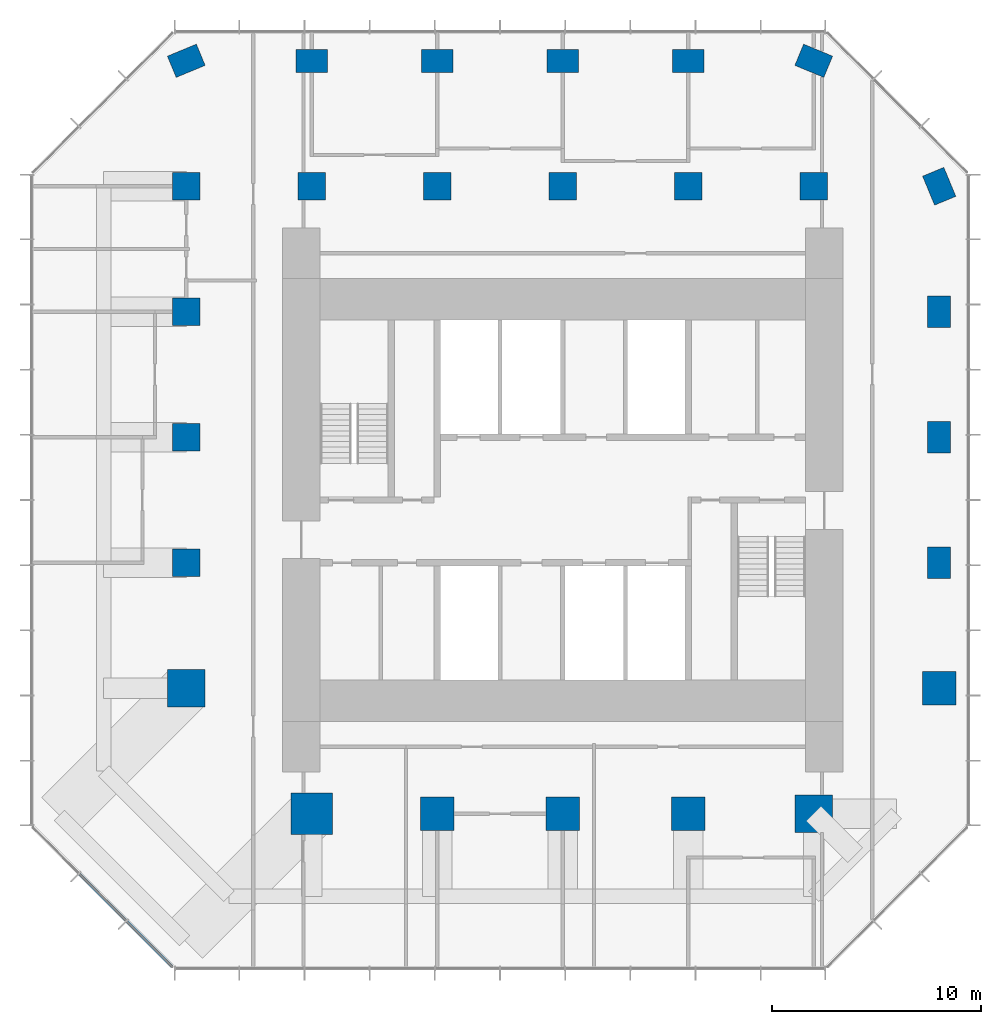
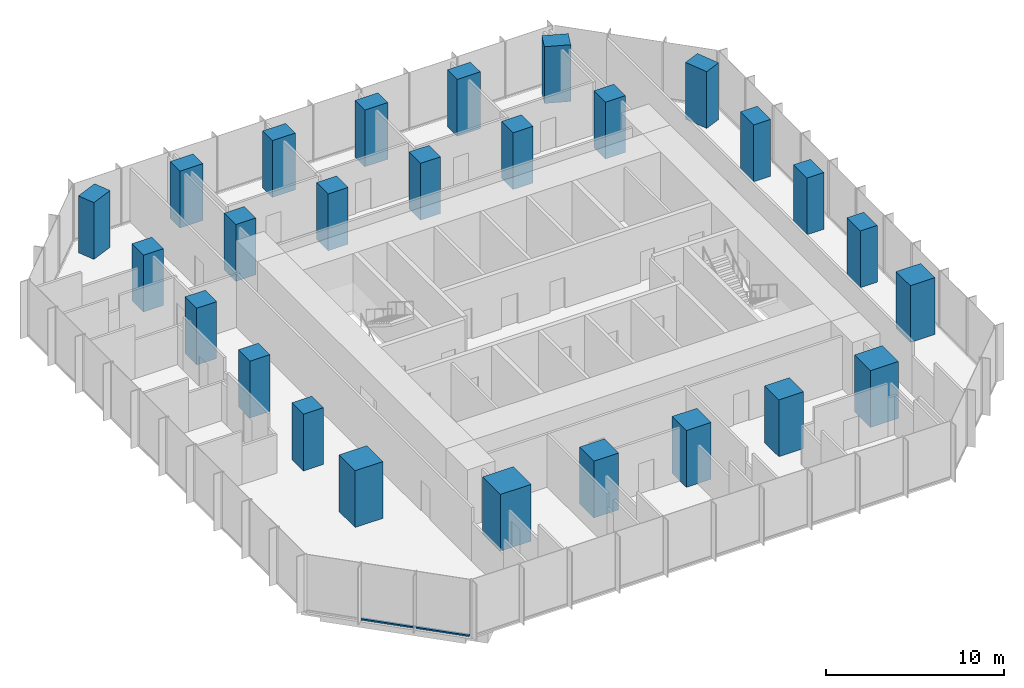
# One storey, part 1 of 11: 26 columns, 2 members, 1 element without a shape of its own.
"""IFC4 building model written with IfcOpenShell, lengths in metres."""

from ifc_helpers import new_model, si_unit, direction, frame, origin, origin_2d, place, context, subcontext, project, spatial, rectangle, extrude, material, layer, layer_set, material_profile, profile_set, type_object, element, aggregate, save


model = new_model("IFC4")

# Units and contexts
model_context = context("Model", 3, precision=1e-05, world=origin(), true_north=direction((0.0, 1.0)))
body_context = subcontext(model_context, "Body", "Model", "MODEL_VIEW")
ifc_project = project(units=[si_unit("LENGTHUNIT", "METRE"), si_unit("AREAUNIT", "SQUARE_METRE"), si_unit("VOLUMEUNIT", "CUBIC_METRE"), si_unit("PLANEANGLEUNIT", "RADIAN"), si_unit("MASSUNIT", "GRAM", prefix="KILO")], contexts=[model_context])

# Site, building, storey
site_placement = place(None, origin())
site = spatial("IfcSite", under=ifc_project, at=site_placement, CompositionType="ELEMENT")
building_placement = place(site_placement, origin())
building = spatial("IfcBuilding", under=site, at=building_placement, Name="Highveld Stack Headquarters", CompositionType="ELEMENT")
storey_placement = place(building_placement, frame((0.0, 0.0, 216.199951171875)))
storey = spatial("IfcBuildingStorey", under=building, at=storey_placement, Name="L53", CompositionType="ELEMENT", Elevation=216.199951171875)

# Columns
ifc_material_1 = material(Name="Concrete C60/75", Category="concrete")
ifc_material_profile_1 = material_profile(ifc_material_1, rectangle(XDim=1.300048828125, YDim=1.300048828125, at=origin_2d()), Name="RC 1300x1300")
ifc_profile_set_1 = profile_set([ifc_material_profile_1], Name="Concrete C60/75")
column_type_1 = type_object("IfcColumnType", Name="COLUMN RC 1300x1300 C60/75", PredefinedType="COLUMN", material=ifc_profile_set_1)
for number, where, z_axis, x_axis, name in (
    (1, (-12.0, 0.0, 0.0), (0.0, 0.0, 1.0), (1.0, 0.0, 0.0), "Column 4/E L53"),
    (2, (-12.0, 6.0, 0.0), (0.0, 0.0, 1.0), (1.0, 0.0, 0.0), "Column 4/F L53"),
    (3, (-12.0, 12.0, 0.0), (0.0, 0.0, 1.0), (1.0, 0.0, 0.0), "Column 4/G L53"),
    (4, (-12.0, 18.0, 0.0), (0.0, 0.0, 1.0), (1.0, 0.0, 0.0), "Column 4/H L53"),
    (5, (-6.0, 18.0, 0.0), (0.0, 0.0, 1.0), (1.0, 0.0, 0.0), "Column 5/H L53"),
    (6, (0.0, 18.0, 0.0), (0.0, 0.0, 1.0), (1.0, 0.0, 0.0), "Column 6/H L53"),
    (7, (6.0, 18.0, 0.0), (0.0, 0.0, 1.0), (1.0, 0.0, 0.0), "Column 7/H L53"),
    (8, (12.0, 18.0, 0.0), (0.0, 0.0, 1.0), (1.0, 0.0, 0.0), "Column 8/H L53"),
    (9, (18.0, 18.0, 0.0), (0.0, 0.0, 1.0), (1.0, 0.0, 0.0), "Column 9/H L53"),
):
    element("IfcColumn", number, at=place(storey_placement, frame(where, z_axis=z_axis, x_axis=x_axis)), inside=storey, type_object=column_type_1, Name=name, PredefinedType="COLUMN", context=body_context, shape_type="SweptSolid", body=[
        extrude(rectangle(XDim=1.300048828125, YDim=1.300048828125, at=origin_2d()), origin(), (0.0, 0.0, 1.0), 3.900146484375),
    ])
ifc_material_2 = material(Name="Concrete C60/75", Category="concrete")
ifc_material_profile_2 = material_profile(ifc_material_2, rectangle(XDim=1.5, YDim=1.10009765625, at=origin_2d()), Name="RC 1500x1100")
ifc_profile_set_2 = profile_set([ifc_material_profile_2], Name="Concrete C60/75")
column_type_2 = type_object("IfcColumnType", Name="COLUMN RC 1500x1100 C60/75", PredefinedType="COLUMN", material=ifc_profile_set_2)
for number, where, z_axis, x_axis, name in (
    (10, (-12.0, 24.0, 0.0), (0.0, 0.0, 1.0), (0.923879532511, 0.382683432365, 0.0), "Column 4/J L53"),
    (11, (-6.0, 24.0, 0.0), (0.0, 0.0, 1.0), (1.0, 0.0, 0.0), "Column 5/J L53"),
    (12, (0.0, 24.0, 0.0), (0.0, 0.0, 1.0), (1.0, 0.0, 0.0), "Column 6/J L53"),
    (13, (6.0, 24.0, 0.0), (0.0, 0.0, 1.0), (1.0, 0.0, 0.0), "Column 7/J L53"),
    (14, (12.0, 24.0, 0.0), (0.0, 0.0, 1.0), (1.0, 0.0, 0.0), "Column 8/J L53"),
    (15, (18.0, 24.0, 0.0), (0.0, 0.0, 1.0), (0.923879532511, -0.382683432365, 0.0), "Column 9/J L53"),
    (16, (24.0, 0.0, 0.0), (0.0, 0.0, 1.0), (0.0, 1.0, 0.0), "Column 10/E L53"),
    (17, (24.0, 6.0, 0.0), (0.0, 0.0, 1.0), (0.0, 1.0, 0.0), "Column 10/F L53"),
    (18, (24.0, 12.0, 0.0), (0.0, 0.0, 1.0), (0.0, 1.0, 0.0), "Column 10/G L53"),
    (19, (24.0, 18.0, 0.0), (0.0, 0.0, 1.0), (0.382683432365, -0.923879532511, 0.0), "Column 10/H L53"),
):
    element("IfcColumn", number, at=place(storey_placement, frame(where, z_axis=z_axis, x_axis=x_axis)), inside=storey, type_object=column_type_2, Name=name, PredefinedType="COLUMN", context=body_context, shape_type="SweptSolid", body=[
        extrude(rectangle(XDim=1.5, YDim=1.10009765625, at=origin_2d()), origin(), (0.0, 0.0, 1.0), 3.900146484375),
    ])
ifc_material_3 = material(Name="Concrete C60/75", Category="concrete")
ifc_material_profile_3 = material_profile(ifc_material_3, rectangle(XDim=1.60009765625, YDim=1.60009765625, at=origin_2d()), Name="RC 1600x1600")
ifc_profile_set_3 = profile_set([ifc_material_profile_3], Name="Concrete C60/75")
column_type_3 = type_object("IfcColumnType", Name="COLUMN RC 1600x1600 C60/75", PredefinedType="COLUMN", material=ifc_profile_set_3)
for number, where, z_axis, x_axis, name in (
    (20, (0.0, -12.0, 0.0), (0.0, 0.0, 1.0), (1.0, 0.0, 0.0), "Column 6/C L53"),
    (21, (6.0, -12.0, 0.0), (0.0, 0.0, 1.0), (1.0, 0.0, 0.0), "Column 7/C L53"),
    (22, (12.0, -12.0, 0.0), (0.0, 0.0, 1.0), (1.0, 0.0, 0.0), "Column 8/C L53"),
    (23, (24.0, -6.0, 0.0), (0.0, 0.0, 1.0), (1.0, 0.0, 0.0), "Column 10/D L53"),
):
    element("IfcColumn", number, at=place(storey_placement, frame(where, z_axis=z_axis, x_axis=x_axis)), inside=storey, type_object=column_type_3, Name=name, PredefinedType="COLUMN", context=body_context, shape_type="SweptSolid", body=[
        extrude(rectangle(XDim=1.60009765625, YDim=1.60009765625, at=origin_2d()), origin(), (0.0, 0.0, 1.0), 3.900146484375),
    ])
ifc_material_4 = material(Name="Concrete C60/75", Category="concrete")
ifc_material_profile_4 = material_profile(ifc_material_4, rectangle(XDim=1.800048828125, YDim=1.800048828125, at=origin_2d()), Name="RC 1800x1800")
ifc_profile_set_4 = profile_set([ifc_material_profile_4], Name="Concrete C60/75")
column_type_4 = type_object("IfcColumnType", Name="COLUMN RC 1800x1800 C60/75", PredefinedType="COLUMN", material=ifc_profile_set_4)
for number, where, z_axis, x_axis, name in (
    (24, (-12.0, -6.0, 0.0), (0.0, 0.0, 1.0), (1.0, 0.0, 0.0), "Column 4/D L53"),
    (25, (18.0, -12.0, 0.0), (0.0, 0.0, 1.0), (1.0, 0.0, 0.0), "Column 9/C L53"),
):
    element("IfcColumn", number, at=place(storey_placement, frame(where, z_axis=z_axis, x_axis=x_axis)), inside=storey, type_object=column_type_4, Name=name, PredefinedType="COLUMN", context=body_context, shape_type="SweptSolid", body=[
        extrude(rectangle(XDim=1.800048828125, YDim=1.800048828125, at=origin_2d()), origin(), (0.0, 0.0, 1.0), 3.900146484375),
    ])
ifc_material_5 = material(Name="Concrete C60/75", Category="concrete")
ifc_material_profile_5 = material_profile(ifc_material_5, rectangle(XDim=2.0, YDim=2.0, at=origin_2d()), Name="RC 2000x2000")
ifc_profile_set_5 = profile_set([ifc_material_profile_5], Name="Concrete C60/75")
column_type_5 = type_object("IfcColumnType", Name="COLUMN RC 2000x2000 C60/75", PredefinedType="COLUMN", material=ifc_profile_set_5)
column_placement = place(storey_placement, frame((-6.0, -12.0, 0.0), z_axis=(0.0, 0.0, 1.0), x_axis=(1.0, 0.0, 0.0)))
element("IfcColumn", 26, at=column_placement, inside=storey, type_object=column_type_5, Name="Column 5/C L53", PredefinedType="COLUMN", context=body_context, shape_type="SweptSolid", body=[
    extrude(rectangle(XDim=2.0, YDim=2.0, at=origin_2d()), origin(), (0.0, 0.0, 1.0), 3.900146484375),
])

# Curtain wall, members
ifc_material_6 = material(Name="Aluminium bronze anodised", Category="aluminium")
ifc_layer = layer(ifc_material_6, 0.199951171875)
ifc_layer_set = layer_set([ifc_layer], Name="Aluminium bronze anodised")
curtain_wall_type = type_object("IfcCurtainWallType", Name="CW2 TOWER CHAMFER UNITISED CURTAIN WALL", PredefinedType="NOTDEFINED", material=ifc_layer_set)
curtain_wall_placement = place(storey_placement, origin())
curtain_wall = element("IfcCurtainWall", 27, at=curtain_wall_placement, inside=storey, type_object=curtain_wall_type, Name="Curtain wall CW2 L53 SW", PredefinedType="NOTDEFINED")
ifc_material_7 = material(Name="Aluminium bronze anodised", Category="aluminium")
ifc_material_profile_6 = material_profile(ifc_material_7, rectangle(XDim=0.14990234375, YDim=0.10009765625, at=origin_2d()), Name="CW2 TRANSOM 150x100")
ifc_profile_set_6 = profile_set([ifc_material_profile_6], Name="Aluminium bronze anodised")
member_type = type_object("IfcMemberType", Name="CW2 STACK TRANSOM 150x100", PredefinedType="USERDEFINED", material=ifc_profile_set_6)
member_1_placement = place(storey_placement, frame((-17.103759765625, -14.876220703125, 0.050048828125), z_axis=(0.707106781187, -0.707106781187, 0.0), x_axis=(0.707106781187, 0.707106781187, 0.0)))
member_1 = element("IfcMember", 28, at=member_1_placement, type_object=member_type, Name="CW2 transom L53 2.1", ObjectType="TRANSOM", PredefinedType="USERDEFINED", context=body_context, shape_type="SweptSolid", body=[
    extrude(rectangle(XDim=0.14990234375, YDim=0.10009765625, at=origin_2d()), origin(), (0.0, 0.0, 1.0), 3.150146484375),
])
member_2_placement = place(storey_placement, frame((-14.830322265625, -17.149658203125, 0.050048828125), z_axis=(0.707106781187, -0.707106781187, 0.0), x_axis=(0.707106781187, 0.707106781187, 0.0)))
member_2 = element("IfcMember", 29, at=member_2_placement, type_object=member_type, Name="CW2 transom L53 3.1", ObjectType="TRANSOM", PredefinedType="USERDEFINED", context=body_context, shape_type="SweptSolid", body=[
    extrude(rectangle(XDim=0.14990234375, YDim=0.10009765625, at=origin_2d()), origin(), (0.0, 0.0, 1.0), 3.08251953125),
])
aggregate(curtain_wall, [member_1, member_2])

save(model, "model.ifc")
